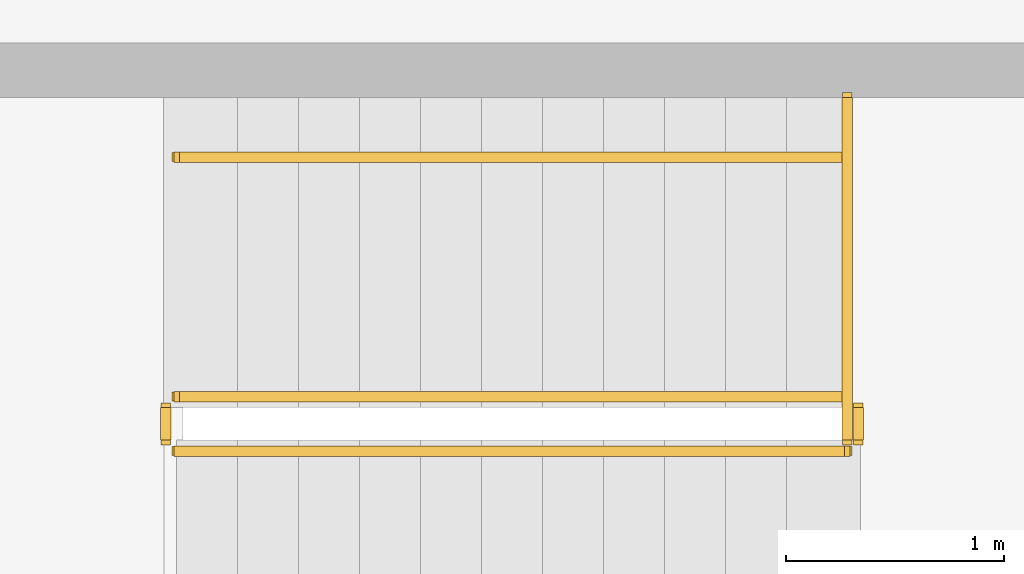
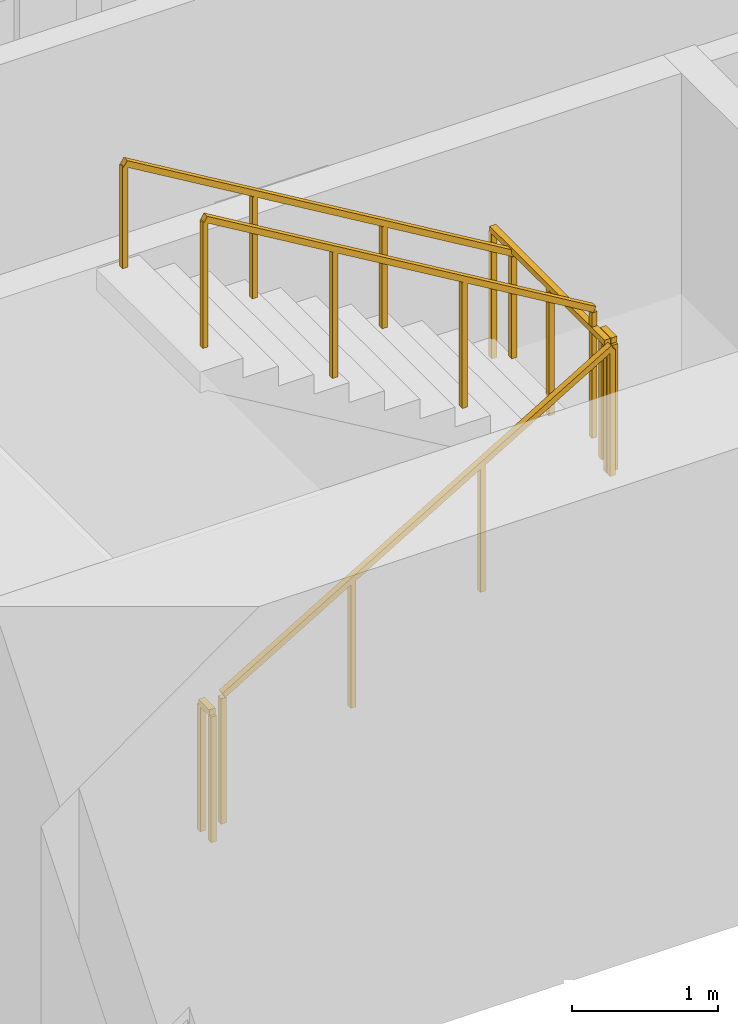
# One storey, part 13 of 16: 6 railings.
"""IFC4 building model written with IfcOpenShell, lengths in metres."""

import ifcopenshell
import ifcopenshell.guid

model = None  # the IFC model being written
_history = None  # IfcOwnerHistory: only IFC2X3 demands one
_inside = {}  # id of a spatial element -> (the spatial element, [elements in it])
_under = {}  # id of a project, library or spatial element -> (it, [spatial elements below it])
_declared = {}  # id of a project -> (the project, [libraries it declares])
_typed = {}  # id of a type object -> (the type object, [elements of that type])
_made_of = {}  # id of a material, layer set ... -> (it, [elements and type objects made of it])


def new_model(schema):
    """Start an empty IFC model of exactly this schema.

    Asked for "IFC4X3", IfcOpenShell would pick the latest addendum, in which some entities
    have other attributes; the version numbers below select the first issue.
    IFC2X3 requires an IfcOwnerHistory on every rooted entity: one is made here for all.
    """
    global model, _history
    if schema == "IFC4X3":
        model = ifcopenshell.file(schema_version=(4, 3, 0, 0))
    else:
        model = ifcopenshell.file(schema=schema)
    _inside.clear()
    _under.clear()
    _declared.clear()
    _typed.clear()
    _made_of.clear()
    _history = None
    if model.schema == "IFC2X3":
        org = make("IfcOrganization", Name="unknown")
        user = make(
            "IfcPersonAndOrganization",
            ThePerson=make("IfcPerson", FamilyName="unknown"),
            TheOrganization=org,
        )
        app = make(
            "IfcApplication",
            ApplicationDeveloper=org,
            Version="unknown",
            ApplicationFullName="unknown",
            ApplicationIdentifier="unknown",
        )
        _history = make(
            "IfcOwnerHistory",
            OwningUser=user,
            OwningApplication=app,
            ChangeAction="ADDED",
            CreationDate=0,
        )
    return model


def make(cls, **values):
    """One entity of the class cls with the attributes given. An attribute that is None is left unset."""
    return model.create_entity(
        cls, **{name: value for name, value in values.items() if value is not None}
    )


def rooted(cls, **values):
    """An entity with a GlobalId (a new one), such as an element, a storey or a relation."""
    return make(cls, GlobalId=ifcopenshell.guid.new(), OwnerHistory=_history, **values)


def si_unit(unit_type, name, prefix=None):
    """IfcSIUnit, for example si_unit("LENGTHUNIT", "METRE", prefix="MILLI")."""
    return make("IfcSIUnit", UnitType=unit_type, Prefix=prefix, Name=name)


def assignment(units):
    """IfcUnitAssignment: the units of a project."""
    return None if units is None else make("IfcUnitAssignment", Units=units)


def point(xyz):
    """IfcCartesianPoint."""
    return None if xyz is None else make("IfcCartesianPoint", Coordinates=xyz)


def direction(xyz):
    """IfcDirection."""
    return None if xyz is None else make("IfcDirection", DirectionRatios=xyz)


def frame(location, z_axis=None, x_axis=None):
    """IfcAxis2Placement3D, a coordinate frame: its origin and axes. An axis left out is left unset."""
    return make(
        "IfcAxis2Placement3D",
        Location=point(location),
        Axis=direction(z_axis),
        RefDirection=direction(x_axis),
    )


def frame_2d(location, x_axis=None):
    """IfcAxis2Placement2D, a coordinate frame in the plane: its origin and x axis."""
    return make(
        "IfcAxis2Placement2D", Location=point(location), RefDirection=direction(x_axis)
    )


def origin():
    """The frame at (0, 0, 0) with its axes left unset."""
    return frame((0.0, 0.0, 0.0))


def origin_2d():
    """The frame at (0, 0) in the plane with its x axis left unset."""
    return frame_2d((0.0, 0.0))


def place(relative_to, where):
    """IfcLocalPlacement: puts the frame where relative to a parent placement (None: the world)."""
    return make(
        "IfcLocalPlacement", PlacementRelTo=relative_to, RelativePlacement=where
    )


def context(
    kind, dimensions, precision=None, world=None, true_north=None, identifier=None
):
    """IfcGeometricRepresentationContext, for example the 3D "Model" context."""
    return make(
        "IfcGeometricRepresentationContext",
        ContextIdentifier=identifier,
        ContextType=kind,
        CoordinateSpaceDimension=dimensions,
        Precision=precision,
        WorldCoordinateSystem=world,
        TrueNorth=true_north,
    )


def subcontext(parent, identifier, kind, view, scale=None):
    """IfcGeometricRepresentationSubContext, for example "Body" below "Model"."""
    return make(
        "IfcGeometricRepresentationSubContext",
        ContextIdentifier=identifier,
        ContextType=kind,
        ParentContext=parent,
        TargetScale=scale,
        TargetView=view,
    )


def project(units=None, contexts=None):
    """IfcProject with its units and contexts."""
    return rooted(
        "IfcProject",
        Name="project",
        RepresentationContexts=contexts,
        UnitsInContext=assignment(units),
    )


def spatial(cls, under=None, at=None, **own):
    """A site, building, storey or space (cls), placed at a placement, below another one or the project."""
    s = rooted(cls, ObjectPlacement=at, **own)
    if under is not None:
        _under.setdefault(under.id(), (under, []))[1].append(s)
    return s


def profile(cls, at=None, kind="AREA", **sizes):
    """A parametric profile (cls). Its sizes go by their IFC names, for example OverallWidth=200.0."""
    return make(cls, ProfileType=kind, Position=at, **sizes)


def rectangle(**sizes):
    """IfcRectangleProfileDef."""
    return profile("IfcRectangleProfileDef", **sizes)


def extrude(swept, where, along, depth):
    """IfcExtrudedAreaSolid: the profile swept, set in the frame where, extruded along a direction by depth."""
    return make(
        "IfcExtrudedAreaSolid",
        SweptArea=swept,
        Position=where,
        ExtrudedDirection=direction(along),
        Depth=depth,
    )


def shape(context_of_items, identifier, shape_type, items):
    """IfcShapeRepresentation: the items that make up one representation, for example the "Body"."""
    return make(
        "IfcShapeRepresentation",
        ContextOfItems=context_of_items,
        RepresentationIdentifier=identifier,
        RepresentationType=shape_type,
        Items=items,
    )


def material(Name=None, Category=None):
    """IfcMaterial."""
    return make("IfcMaterial", Name=Name, Category=Category)


def made_of(thing, what):
    """Note that an element or type object is made of a material, layer set ...; save() writes the relation."""
    if what is not None:
        _made_of.setdefault(what.id(), (what, []))[1].append(thing)
    return thing


def type_object(cls, material=None, **own):
    """A type object (cls), such as IfcWallType, which elements share."""
    return made_of(rooted(cls, **own), material)


def element(
    cls,
    number,
    at=None,
    inside=None,
    cuts=None,
    type_object=None,
    material=None,
    context=None,
    identifier="Body",
    shape_type=None,
    held_by="IfcProductDefinitionShape",
    body=None,
    shapes=None,
    **own,
):
    """One element of the class cls, such as IfcWall. Its Tag is "e" and its number.

    at: its placement. inside: the storey or other place that contains it. cuts: it is an
    opening in that element (IfcRelVoidsElement). A single representation is given by context,
    identifier, shape_type and body (its items); several are given by shapes. held_by: the class
    of the entity that holds the representations. save() writes the other relations.
    """
    e = rooted(cls, Tag="e%d" % number, ObjectPlacement=at, **own)
    if body is not None:
        shapes = [shape(context, identifier, shape_type, body)]
    if shapes is not None:
        e.Representation = make(held_by, Representations=shapes)
    if inside is not None:
        _inside.setdefault(inside.id(), (inside, []))[1].append(e)
    if cuts is not None:
        rooted(
            "IfcRelVoidsElement", RelatingBuildingElement=cuts, RelatedOpeningElement=e
        )
    if type_object is not None:
        _typed.setdefault(type_object.id(), (type_object, []))[1].append(e)
    return made_of(e, material)


def aggregate(whole, parts):
    """IfcRelAggregates: a whole, such as a stair, and the parts it consists of."""
    return rooted("IfcRelAggregates", RelatingObject=whole, RelatedObjects=parts)


def save(model, path):
    """Write the relations noted so far, then the file.

    IfcRelAggregates (storeys below a building ...), IfcRelContainedInSpatialStructure (elements
    in a storey), IfcRelDefinesByType, IfcRelAssociatesMaterial and IfcRelDeclares: one each for
    every whole, place, type object, material and project.
    """
    for whole, parts in _under.values():
        aggregate(whole, parts)
    for where, things in _inside.values():
        rooted(
            "IfcRelContainedInSpatialStructure",
            RelatedElements=things,
            RelatingStructure=where,
        )
    for kind, things in _typed.values():
        rooted("IfcRelDefinesByType", RelatedObjects=things, RelatingType=kind)
    for what, things in _made_of.values():
        rooted("IfcRelAssociatesMaterial", RelatedObjects=things, RelatingMaterial=what)
    for by, libraries in _declared.values():
        rooted("IfcRelDeclares", RelatingContext=by, RelatedDefinitions=libraries)
    model.write(path)


model = new_model("IFC4")

# Units and contexts
model_context = context("Model", 3, precision=1e-05, world=origin(), true_north=direction((0.0, 1.0)))
body_context = subcontext(model_context, "Body", "Model", "MODEL_VIEW")
ifc_project = project(units=[si_unit("LENGTHUNIT", "METRE"), si_unit("AREAUNIT", "SQUARE_METRE"), si_unit("VOLUMEUNIT", "CUBIC_METRE"), si_unit("PLANEANGLEUNIT", "RADIAN"), si_unit("MASSUNIT", "GRAM", prefix="KILO")], contexts=[model_context])

# Site, building, storey
site_placement = place(None, origin())
site = spatial("IfcSite", under=ifc_project, at=site_placement, CompositionType="ELEMENT")
building_placement = place(site_placement, origin())
building = spatial("IfcBuilding", under=site, at=building_placement, Name="Sennacour Bend Tower", CompositionType="ELEMENT")
storey_placement = place(building_placement, frame((0.0, 0.0, 231.0)))
storey = spatial("IfcBuildingStorey", under=building, at=storey_placement, Name="L53", CompositionType="ELEMENT", Elevation=231.0)

# Railings
ifc_material = material(Name="Stainless steel", Category="steel")
railing_type_1 = type_object("IfcRailingType", Name="RL-GUARD-1100", PredefinedType="GUARDRAIL", material=ifc_material)
railing_1_placement = place(storey_placement, frame((56.699951171875, 2.449951171875, 0.166748046875)))
element("IfcRailing", 1, at=railing_1_placement, inside=storey, type_object=railing_type_1, Name="L53 SA1 stair guard 1", PredefinedType="GUARDRAIL", context=body_context, shape_type="SweptSolid", body=[
    extrude(rectangle(XDim=0.048095703125, YDim=0.048095703125, at=origin_2d()), frame((0.0, 0.0, 1.076171875), z_axis=(0.859308565015, 0.0, 0.511457515432), x_axis=(0.0, 1.0, 0.0)), (0.0, 0.0, 1.0), 3.58447265625),
    extrude(rectangle(XDim=0.0419921875, YDim=0.0419921875, at=origin_2d()), origin(), (0.0, 0.0, 1.0), 1.052001953125),
    extrude(rectangle(XDim=0.0419921875, YDim=0.0419921875, at=origin_2d()), frame((1.026611328125, 0.0, 0.611083984375)), (0.0, 0.0, 1.0), 1.052001953125),
    extrude(rectangle(XDim=0.0419921875, YDim=0.0419921875, at=origin_2d()), frame((2.053466796875, 0.0, 1.22216796875)), (0.0, 0.0, 1.0), 1.052001953125),
    extrude(rectangle(XDim=0.0419921875, YDim=0.0419921875, at=origin_2d()), frame((3.080078125, 0.0, 1.833251953125)), (0.0, 0.0, 1.0), 1.052001953125),
])
railing_2_placement = place(storey_placement, frame((59.830078125, 2.5, 2.0)))
element("IfcRailing", 2, at=railing_2_placement, inside=storey, type_object=railing_type_1, Name="L53 SA1 stair guard 2", PredefinedType="GUARDRAIL", context=body_context, shape_type="SweptSolid", body=[
    extrude(rectangle(XDim=0.048095703125, YDim=0.048095703125, at=origin_2d()), frame((0.0, 0.0, 1.076171875), z_axis=(0.0, 1.0, 0.0), x_axis=(-1.0, 0.0, 0.0)), (0.0, 0.0, 1.0), 0.14990234375),
    extrude(rectangle(XDim=0.0419921875, YDim=0.0419921875, at=origin_2d()), origin(), (0.0, 0.0, 1.0), 1.052001953125),
    extrude(rectangle(XDim=0.0419921875, YDim=0.0419921875, at=origin_2d()), frame((0.0, 0.14990234375, 0.0)), (0.0, 0.0, 1.0), 1.052001953125),
])
railing_3_placement = place(storey_placement, frame((59.780029296875, 2.699951171875, 2.166748046875)))
element("IfcRailing", 3, at=railing_3_placement, inside=storey, type_object=railing_type_1, Name="L53 SA1 stair guard 4", PredefinedType="GUARDRAIL", context=body_context, shape_type="SweptSolid", body=[
    extrude(rectangle(XDim=0.048095703125, YDim=0.048095703125, at=origin_2d()), frame((0.0, 0.0, 1.076171875), z_axis=(-0.859308565015, 0.0, 0.511457515432), x_axis=(0.0, -1.0, 0.0)), (0.0, 0.0, 1.0), 3.58447265625),
    extrude(rectangle(XDim=0.0419921875, YDim=0.0419921875, at=origin_2d()), origin(), (0.0, 0.0, 1.0), 1.052001953125),
    extrude(rectangle(XDim=0.0419921875, YDim=0.0419921875, at=origin_2d()), frame((-1.026611328125, 0.0, 0.611083984375)), (0.0, 0.0, 1.0), 1.052001953125),
    extrude(rectangle(XDim=0.0419921875, YDim=0.0419921875, at=origin_2d()), frame((-2.053466796875, 0.0, 1.22216796875)), (0.0, 0.0, 1.0), 1.052001953125),
    extrude(rectangle(XDim=0.0419921875, YDim=0.0419921875, at=origin_2d()), frame((-3.080078125, 0.0, 1.833251953125)), (0.0, 0.0, 1.0), 1.052001953125),
])
railing_4_placement = place(storey_placement, frame((56.64990234375, 2.5, 0.0)))
element("IfcRailing", 4, at=railing_4_placement, inside=storey, type_object=railing_type_1, Name="L53 SA1 stair guard 5", PredefinedType="GUARDRAIL", context=body_context, shape_type="SweptSolid", body=[
    extrude(rectangle(XDim=0.048095703125, YDim=0.048095703125, at=origin_2d()), frame((0.0, 0.0, 1.076171875), z_axis=(0.0, 1.0, 0.0), x_axis=(-1.0, 0.0, 0.0)), (0.0, 0.0, 1.0), 0.14990234375),
    extrude(rectangle(XDim=0.0419921875, YDim=0.0419921875, at=origin_2d()), origin(), (0.0, 0.0, 1.0), 1.052001953125),
    extrude(rectangle(XDim=0.0419921875, YDim=0.0419921875, at=origin_2d()), frame((0.0, 0.14990234375, 0.0)), (0.0, 0.0, 1.0), 1.052001953125),
])
railing_5_placement = place(storey_placement, frame((59.780029296875, 2.5, 2.0)))
element("IfcRailing", 5, at=railing_5_placement, inside=storey, type_object=railing_type_1, Name="L53 SA1 landing edge guard 75", PredefinedType="GUARDRAIL", context=body_context, shape_type="SweptSolid", body=[
    extrude(rectangle(XDim=0.048095703125, YDim=0.048095703125, at=origin_2d()), frame((0.0, 0.0, 1.076171875), z_axis=(0.0, 1.0, 0.0), x_axis=(-1.0, 0.0, 0.0)), (0.0, 0.0, 1.0), 1.574951171875),
    extrude(rectangle(XDim=0.0419921875, YDim=0.0419921875, at=origin_2d()), origin(), (0.0, 0.0, 1.0), 1.052001953125),
    extrude(rectangle(XDim=0.0419921875, YDim=0.0419921875, at=origin_2d()), frame((0.0, 0.78759765625, 0.0)), (0.0, 0.0, 1.0), 1.052001953125),
    extrude(rectangle(XDim=0.0419921875, YDim=0.0419921875, at=origin_2d()), frame((0.0, 1.574951171875, 0.0)), (0.0, 0.0, 1.0), 1.052001953125),
])
railing_type_2 = type_object("IfcRailingType", Name="RL-HANDRAIL-900", PredefinedType="HANDRAIL", material=ifc_material)
railing_6_placement = place(storey_placement, frame((59.780029296875, 3.800048828125, 2.166748046875)))
element("IfcRailing", 6, at=railing_6_placement, inside=storey, type_object=railing_type_2, Name="L53 SA1 stair handrail 2", PredefinedType="HANDRAIL", context=body_context, shape_type="SweptSolid", body=[
    extrude(rectangle(XDim=0.048095703125, YDim=0.048095703125, at=origin_2d()), frame((0.0, 0.0, 0.8759765625), z_axis=(-0.859308565015, 0.0, 0.511457515432), x_axis=(0.0, -1.0, 0.0)), (0.0, 0.0, 1.0), 3.58447265625),
    extrude(rectangle(XDim=0.0419921875, YDim=0.0419921875, at=origin_2d()), origin(), (0.0, 0.0, 1.0), 0.851806640625),
    extrude(rectangle(XDim=0.0419921875, YDim=0.0419921875, at=origin_2d()), frame((-1.026611328125, 0.0, 0.611083984375)), (0.0, 0.0, 1.0), 0.851806640625),
    extrude(rectangle(XDim=0.0419921875, YDim=0.0419921875, at=origin_2d()), frame((-2.053466796875, 0.0, 1.22216796875)), (0.0, 0.0, 1.0), 0.851806640625),
    extrude(rectangle(XDim=0.0419921875, YDim=0.0419921875, at=origin_2d()), frame((-3.080078125, 0.0, 1.833251953125)), (0.0, 0.0, 1.0), 0.851806640625),
])

save(model, "model.ifc")
